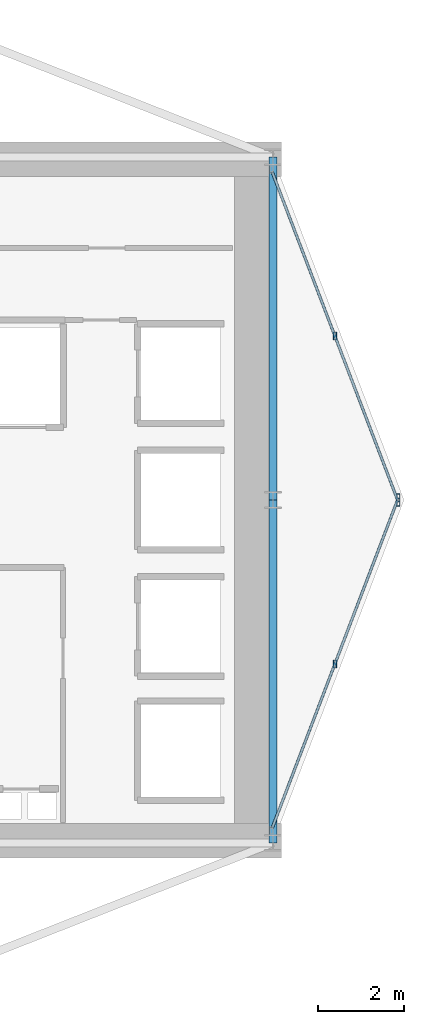
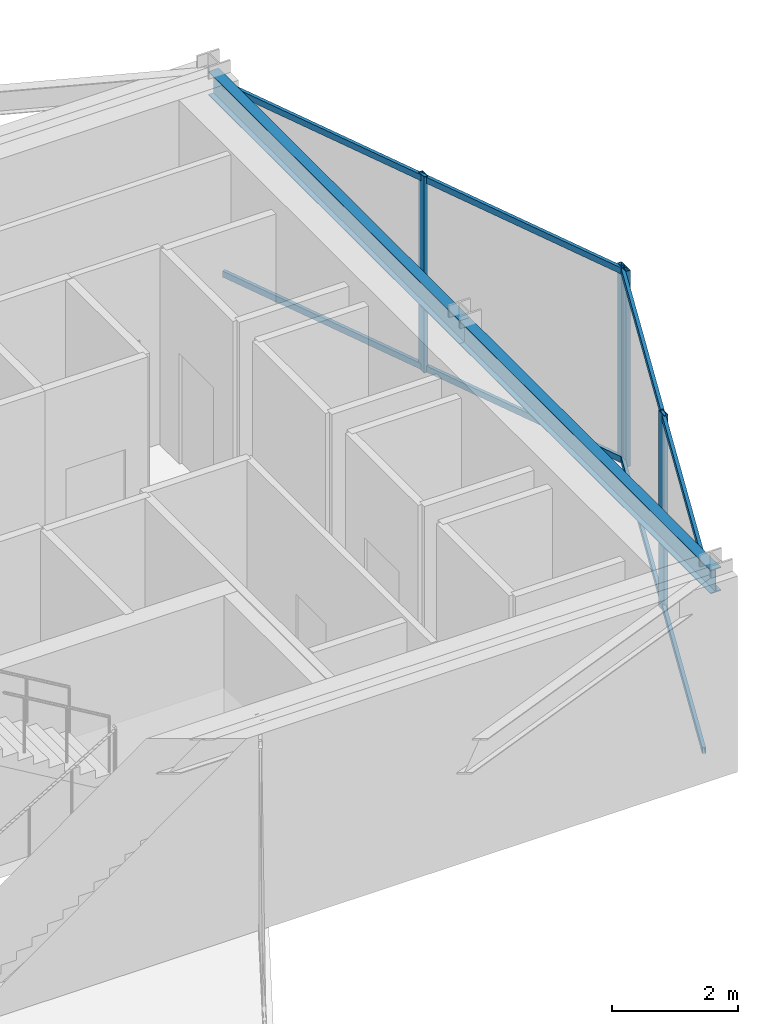
# One storey, part 15 of 26: 8 members, 2 beams, 2 elements without a shape of their own.
"""IFC4 building model written with IfcOpenShell, lengths in metres."""

from ifc_helpers import new_model, si_unit, direction, frame, origin, origin_2d, place, context, subcontext, project, spatial, hollow_rectangle, i_section, extrude, material, layer, layer_set, material_profile, profile_set, type_object, element, aggregate, save


model = new_model("IFC4")

# Units and contexts
model_context = context("Model", 3, precision=1e-05, world=origin(), true_north=direction((0.0, 1.0)))
body_context = subcontext(model_context, "Body", "Model", "MODEL_VIEW")
ifc_project = project(units=[si_unit("LENGTHUNIT", "METRE"), si_unit("AREAUNIT", "SQUARE_METRE"), si_unit("VOLUMEUNIT", "CUBIC_METRE"), si_unit("PLANEANGLEUNIT", "RADIAN"), si_unit("MASSUNIT", "GRAM", prefix="KILO")], contexts=[model_context])

# Site, building, storey
site_placement = place(None, origin())
site = spatial("IfcSite", under=ifc_project, at=site_placement, CompositionType="ELEMENT")
building_placement = place(site_placement, origin())
building = spatial("IfcBuilding", under=site, at=building_placement, Name="Veymaron Broadcast Tower", CompositionType="ELEMENT")
storey_placement = place(building_placement, frame((0.0, 0.0, 157.35009765625)))
storey = spatial("IfcBuildingStorey", under=building, at=storey_placement, Name="L36", CompositionType="ELEMENT", Elevation=157.35009765625)

# Beams
ifc_material_1 = material(Name="Structural steel ASTM A992 Gr 50", Category="steel")
ifc_material_profile_1 = material_profile(ifc_material_1, i_section(OverallWidth=0.19091796875, OverallDepth=0.4599609375, WebThickness=0.010009765625, FlangeThickness=0.01611328125, at=origin_2d()), Name="W460X82")
ifc_profile_set_1 = profile_set([ifc_material_profile_1], Name="Structural steel ASTM A992 Gr 50")
beam_type = type_object("IfcBeamType", Name="BM-SP1", PredefinedType="SPANDREL", material=ifc_profile_set_1)
for number, where, z_axis, x_axis, name in (
    (1, (54.60009765625, 16.0, 3.579833984375), (0.0, 1.0, 0.0), (-1.0, 0.0, 0.0), "L36 primary structural floor girder"),
    (2, (54.60009765625, 24.0, 3.579833984375), (0.0, 1.0, 0.0), (-1.0, 0.0, 0.0), "L36 primary structural floor girder"),
):
    element("IfcBeam", number, at=place(storey_placement, frame(where, z_axis=z_axis, x_axis=x_axis)), inside=storey, type_object=beam_type, Name=name, PredefinedType="SPANDREL", context=body_context, shape_type="SweptSolid", body=[
        extrude(i_section(OverallWidth=0.19091796875, OverallDepth=0.4599609375, WebThickness=0.010009765625, FlangeThickness=0.01611328125, at=origin_2d()), origin(), (0.0, 0.0, 1.0), 8.0),
    ])

# Curtain wall, members
ifc_material_2 = material(Name="Anodised aluminium AA 6063-T6 and laminated low-E dark glass", Category="aluminium")
ifc_layer = layer(ifc_material_2, 0.179931640625)
ifc_layer_set = layer_set([ifc_layer], Name="Anodised aluminium AA 6063-T6 and laminated low-E dark glass")
curtain_wall_type = type_object("IfcCurtainWallType", Name="CW-SYS-03", PredefinedType="NOTDEFINED", material=ifc_layer_set)
curtain_wall_1_placement = place(storey_placement, origin())
curtain_wall_1 = element("IfcCurtainWall", 3, at=curtain_wall_1_placement, inside=storey, type_object=curtain_wall_type, Name="L36 dark-glass curtain wall CW-L36-E2-1", PredefinedType="NOTDEFINED")
ifc_material_3 = material(Name="Anodised aluminium AA 6063-T6", Category="aluminium")
ifc_material_profile_2 = material_profile(ifc_material_3, hollow_rectangle(XDim=0.074951171875, YDim=0.179931640625, WallThickness=0.0048828125, at=origin_2d()), Name="AL180X75X5")
ifc_profile_set_2 = profile_set([ifc_material_profile_2], Name="Anodised aluminium AA 6063-T6")
member_type_1 = type_object("IfcMemberType", Name="CW-MUL-02", PredefinedType="MULLION", material=ifc_profile_set_2)
member_1_placement = place(storey_placement, frame((56.046142578125, 20.176025390625, 0.0), z_axis=(0.0, 0.0, 1.0), x_axis=(1.0, 0.0, 0.0)))
member_1 = element("IfcMember", 4, at=member_1_placement, type_object=member_type_1, Name="CW-L36-E2-1 mullion 1", PredefinedType="MULLION", context=body_context, shape_type="SweptSolid", body=[
    extrude(hollow_rectangle(XDim=0.074951171875, YDim=0.179931640625, WallThickness=0.0048828125, at=origin_2d()), origin(), (0.0, 0.0, 1.0), 3.809814453125),
])
member_2_placement = place(storey_placement, frame((57.52685546875, 24.050048828125, 0.0), z_axis=(0.0, 0.0, 1.0), x_axis=(1.0, 0.0, 0.0)))
member_2 = element("IfcMember", 5, at=member_2_placement, type_object=member_type_1, Name="CW-L36-E2-1 mullion 2", PredefinedType="MULLION", context=body_context, shape_type="SweptSolid", body=[
    extrude(hollow_rectangle(XDim=0.074951171875, YDim=0.179931640625, WallThickness=0.0048828125, at=origin_2d()), origin(), (0.0, 0.0, 1.0), 3.809814453125),
])

curtain_wall_2_placement = place(storey_placement, origin())
curtain_wall_2 = element("IfcCurtainWall", 6, at=curtain_wall_2_placement, inside=storey, type_object=curtain_wall_type, Name="L36 dark-glass curtain wall CW-L36-E3-1", PredefinedType="NOTDEFINED")
member_3_placement = place(storey_placement, frame((57.52685546875, 23.949951171875, 0.0), z_axis=(0.0, 0.0, 1.0), x_axis=(1.0, 0.0, 0.0)))
member_3 = element("IfcMember", 7, at=member_3_placement, type_object=member_type_1, Name="CW-L36-E3-1 mullion 0", PredefinedType="MULLION", context=body_context, shape_type="SweptSolid", body=[
    extrude(hollow_rectangle(XDim=0.074951171875, YDim=0.179931640625, WallThickness=0.0048828125, at=origin_2d()), origin(), (0.0, 0.0, 1.0), 3.809814453125),
])
member_4_placement = place(storey_placement, frame((56.046142578125, 27.823974609375, 0.0), z_axis=(0.0, 0.0, 1.0), x_axis=(1.0, 0.0, 0.0)))
member_4 = element("IfcMember", 8, at=member_4_placement, type_object=member_type_1, Name="CW-L36-E3-1 mullion 1", PredefinedType="MULLION", context=body_context, shape_type="SweptSolid", body=[
    extrude(hollow_rectangle(XDim=0.074951171875, YDim=0.179931640625, WallThickness=0.0048828125, at=origin_2d()), origin(), (0.0, 0.0, 1.0), 3.809814453125),
])

# Member
ifc_material_profile_3 = material_profile(ifc_material_3, hollow_rectangle(XDim=0.06005859375, YDim=0.1201171875, WallThickness=0.00390625, at=origin_2d()), Name="AL120X60X4")
ifc_profile_set_3 = profile_set([ifc_material_profile_3], Name="Anodised aluminium AA 6063-T6")
member_type_2 = type_object("IfcMemberType", Name="CW-TRN-02", PredefinedType="USERDEFINED", material=ifc_profile_set_3)
member_5_placement = place(storey_placement, frame((54.58349609375, 16.3486328125, 0.06982421875), z_axis=(0.356973860557, 0.934114373553, 0.0), x_axis=(-0.934114373553, 0.356973860557, 0.0)))
member_5 = element("IfcMember", 9, at=member_5_placement, type_object=member_type_2, Name="CW-L36-E2-1 transom B", ObjectType="TRANSOM", PredefinedType="USERDEFINED", context=body_context, shape_type="SweptSolid", body=[
    extrude(hollow_rectangle(XDim=0.06005859375, YDim=0.1201171875, WallThickness=0.00390625, at=origin_2d()), origin(), (0.0, 0.0, 1.0), 8.194580078125),
])

member_6_placement = place(storey_placement, frame((54.58349609375, 16.3486328125, 3.739990234375), z_axis=(0.356973860557, 0.934114373553, 0.0), x_axis=(-0.934114373553, 0.356973860557, 0.0)))
member_6 = element("IfcMember", 10, at=member_6_placement, type_object=member_type_2, Name="CW-L36-E2-1 transom T", ObjectType="TRANSOM", PredefinedType="USERDEFINED", context=body_context, shape_type="SweptSolid", body=[
    extrude(hollow_rectangle(XDim=0.06005859375, YDim=0.1201171875, WallThickness=0.00390625, at=origin_2d()), origin(), (0.0, 0.0, 1.0), 8.194580078125),
])

aggregate(curtain_wall_1, [member_1, member_2, member_5, member_6])

member_7_placement = place(storey_placement, frame((57.5087890625, 23.99658203125, 0.06982421875), z_axis=(-0.356973860557, 0.934114373553, 0.0), x_axis=(-0.934114373553, -0.356973860557, 0.0)))
member_7 = element("IfcMember", 11, at=member_7_placement, type_object=member_type_2, Name="CW-L36-E3-1 transom B", ObjectType="TRANSOM", PredefinedType="USERDEFINED", context=body_context, shape_type="SweptSolid", body=[
    extrude(hollow_rectangle(XDim=0.06005859375, YDim=0.1201171875, WallThickness=0.00390625, at=origin_2d()), origin(), (0.0, 0.0, 1.0), 8.194580078125),
])

member_8_placement = place(storey_placement, frame((57.5087890625, 23.99658203125, 3.739990234375), z_axis=(-0.356973860557, 0.934114373553, 0.0), x_axis=(-0.934114373553, -0.356973860557, 0.0)))
member_8 = element("IfcMember", 12, at=member_8_placement, type_object=member_type_2, Name="CW-L36-E3-1 transom T", ObjectType="TRANSOM", PredefinedType="USERDEFINED", context=body_context, shape_type="SweptSolid", body=[
    extrude(hollow_rectangle(XDim=0.06005859375, YDim=0.1201171875, WallThickness=0.00390625, at=origin_2d()), origin(), (0.0, 0.0, 1.0), 8.194580078125),
])

aggregate(curtain_wall_2, [member_3, member_4, member_7, member_8])

save(model, "model.ifc")
